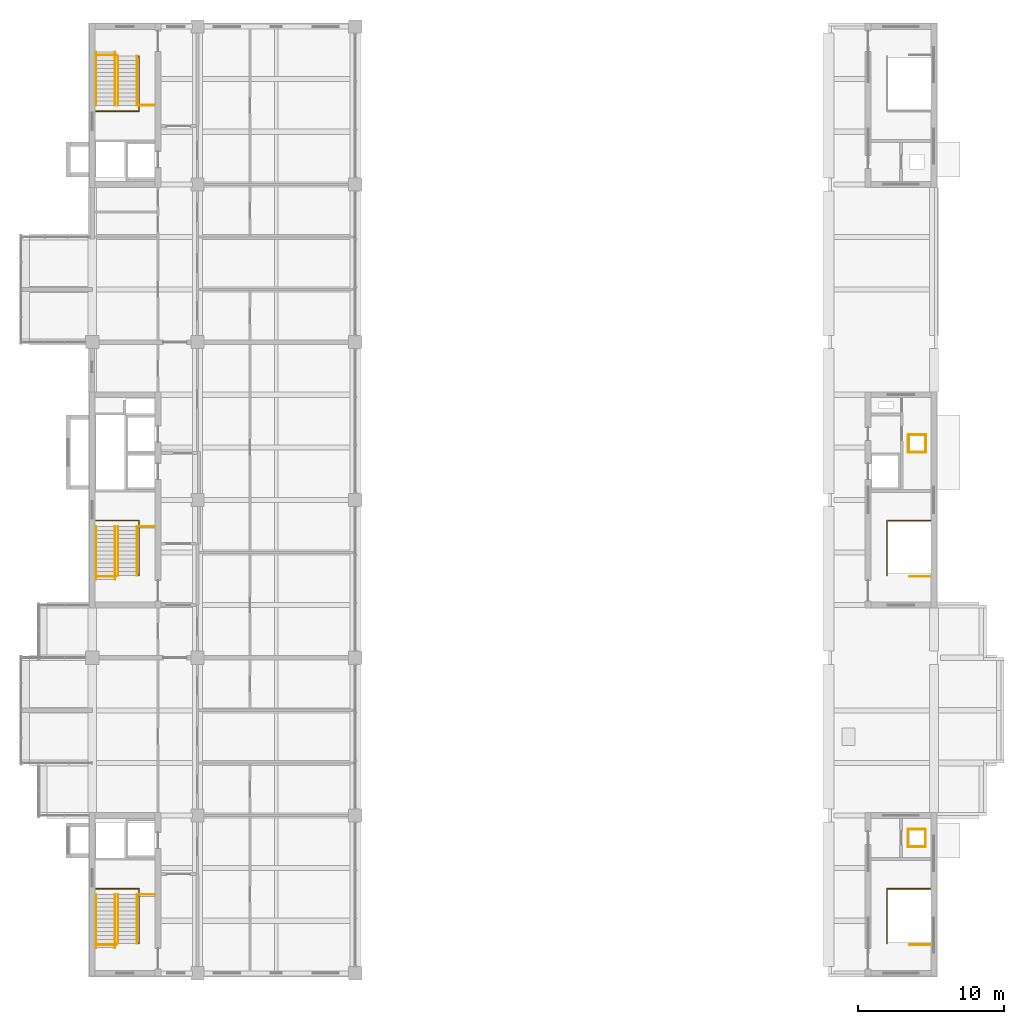
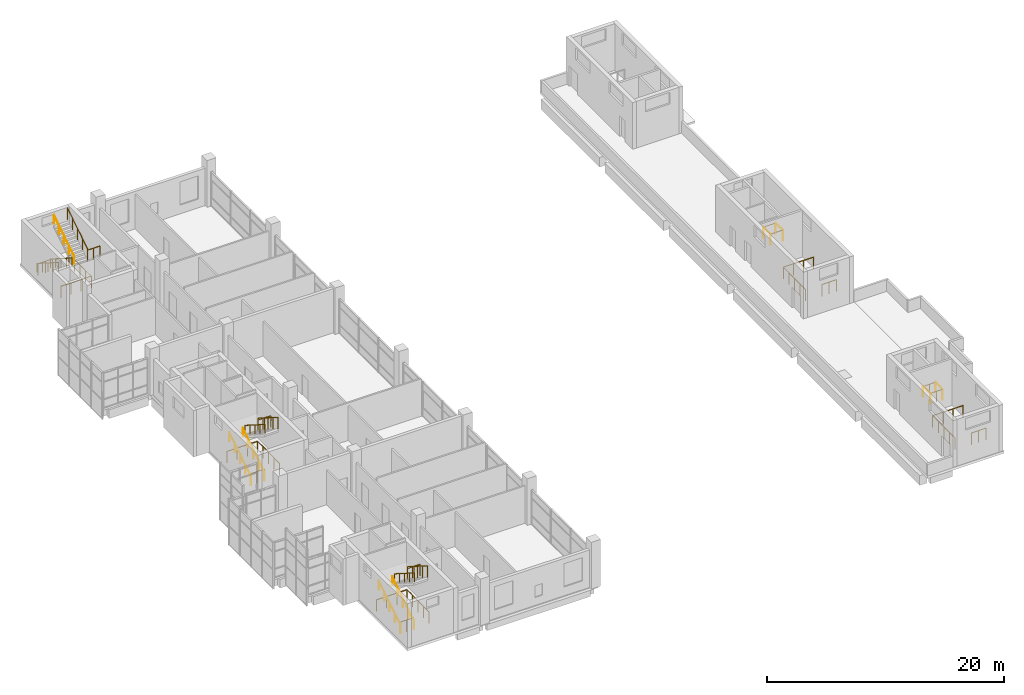
# One storey, part 22 of 23: 33 railings.
"""IFC4 building model written with IfcOpenShell, lengths in metres."""

from ifc_helpers import new_model, si_unit, direction, frame, origin, origin_2d, place, context, subcontext, project, spatial, circle, extrude, material, type_object, element, save


model = new_model("IFC4")

# Units and contexts
model_context = context("Model", 3, precision=1e-05, world=origin(), true_north=direction((0.0, 1.0)))
body_context = subcontext(model_context, "Body", "Model", "MODEL_VIEW")
ifc_project = project(units=[si_unit("LENGTHUNIT", "METRE"), si_unit("AREAUNIT", "SQUARE_METRE"), si_unit("VOLUMEUNIT", "CUBIC_METRE"), si_unit("PLANEANGLEUNIT", "RADIAN"), si_unit("MASSUNIT", "GRAM", prefix="KILO")], contexts=[model_context])

# Site, building, storey
site_placement = place(None, origin())
site = spatial("IfcSite", under=ifc_project, at=site_placement, CompositionType="ELEMENT")
building_placement = place(site_placement, origin())
building = spatial("IfcBuilding", under=site, at=building_placement, Name="Basin Gate Institute", CompositionType="ELEMENT")
storey_placement = place(building_placement, frame((0.0, 0.0, 46.199951171875)))
storey = spatial("IfcBuildingStorey", under=building, at=storey_placement, Name="L09", CompositionType="ELEMENT", Elevation=46.199951171875)

# Railings
ifc_material_1 = material(Name="Galvanised steel tube and mesh infill", Category="steel")
railing_type_1 = type_object("IfcRailingType", Name="Duct opening guard RL-D", PredefinedType="GUARDRAIL", material=ifc_material_1)
railing_1_placement = place(storey_placement, frame((117.02490234375, 43.762451171875, 0.150146484375)))
element("IfcRailing", 1, at=railing_1_placement, inside=storey, type_object=railing_type_1, material=ifc_material_1, Name="Duct opening guard RL-D Exhaust Fan Room ES 1", PredefinedType="GUARDRAIL", context=body_context, shape_type="SweptSolid", body=[
    extrude(circle(Radius=0.02392578125, at=origin_2d()), frame((0.0, 0.0, 1.076171875), z_axis=(1.0, 0.0, 0.0), x_axis=(0.0, 1.0, 0.0)), (0.0, 0.0, 1.0), 1.2001953125),
    extrude(circle(Radius=0.02099609375, at=origin_2d()), origin(), (0.0, 0.0, 1.0), 1.052001953125),
    extrude(circle(Radius=0.02099609375, at=origin_2d()), frame((0.60009765625, 0.0, 0.0)), (0.0, 0.0, 1.0), 1.052001953125),
    extrude(circle(Radius=0.02099609375, at=origin_2d()), frame((1.2001953125, 0.0, 0.0)), (0.0, 0.0, 1.0), 1.052001953125),
])
railing_2_placement = place(storey_placement, frame((118.22509765625, 43.762451171875, 0.150146484375)))
element("IfcRailing", 2, at=railing_2_placement, inside=storey, type_object=railing_type_1, material=ifc_material_1, Name="Duct opening guard RL-D Exhaust Fan Room ES 2", PredefinedType="GUARDRAIL", context=body_context, shape_type="SweptSolid", body=[
    extrude(circle(Radius=0.02392578125, at=origin_2d()), frame((0.0, 0.0, 1.076171875), z_axis=(0.0, 1.0, 0.0), x_axis=(-1.0, 0.0, 0.0)), (0.0, 0.0, 1.0), 1.199951171875),
    extrude(circle(Radius=0.02099609375, at=origin_2d()), origin(), (0.0, 0.0, 1.0), 1.052001953125),
    extrude(circle(Radius=0.02099609375, at=origin_2d()), frame((0.0, 1.199951171875, 0.0)), (0.0, 0.0, 1.0), 1.052001953125),
])
railing_3_placement = place(storey_placement, frame((118.22509765625, 44.96240234375, 0.150146484375)))
element("IfcRailing", 3, at=railing_3_placement, inside=storey, type_object=railing_type_1, material=ifc_material_1, Name="Duct opening guard RL-D Exhaust Fan Room ES 3", PredefinedType="GUARDRAIL", context=body_context, shape_type="SweptSolid", body=[
    extrude(circle(Radius=0.02392578125, at=origin_2d()), frame((0.0, 0.0, 1.076171875), z_axis=(-1.0, 0.0, 0.0), x_axis=(0.0, -1.0, 0.0)), (0.0, 0.0, 1.0), 1.2001953125),
    extrude(circle(Radius=0.02099609375, at=origin_2d()), origin(), (0.0, 0.0, 1.0), 1.052001953125),
    extrude(circle(Radius=0.02099609375, at=origin_2d()), frame((-0.60009765625, 0.0, 0.0)), (0.0, 0.0, 1.0), 1.052001953125),
    extrude(circle(Radius=0.02099609375, at=origin_2d()), frame((-1.2001953125, 0.0, 0.0)), (0.0, 0.0, 1.0), 1.052001953125),
])
railing_4_placement = place(storey_placement, frame((117.02490234375, 44.96240234375, 0.150146484375)))
element("IfcRailing", 4, at=railing_4_placement, inside=storey, type_object=railing_type_1, material=ifc_material_1, Name="Duct opening guard RL-D Exhaust Fan Room ES 4", PredefinedType="GUARDRAIL", context=body_context, shape_type="SweptSolid", body=[
    extrude(circle(Radius=0.02392578125, at=origin_2d()), frame((0.0, 0.0, 1.076171875), z_axis=(0.0, -1.0, 0.0), x_axis=(1.0, 0.0, 0.0)), (0.0, 0.0, 1.0), 1.199951171875),
    extrude(circle(Radius=0.02099609375, at=origin_2d()), origin(), (0.0, 0.0, 1.0), 1.052001953125),
    extrude(circle(Radius=0.02099609375, at=origin_2d()), frame((0.0, -1.199951171875, 0.0)), (0.0, 0.0, 1.0), 1.052001953125),
])
railing_5_placement = place(storey_placement, frame((117.050048828125, 70.762451171875, 0.150146484375)))
element("IfcRailing", 5, at=railing_5_placement, inside=storey, type_object=railing_type_1, material=ifc_material_1, Name="Duct opening guard RL-D Exhaust Fan Room EM 1", PredefinedType="GUARDRAIL", context=body_context, shape_type="SweptSolid", body=[
    extrude(circle(Radius=0.02392578125, at=origin_2d()), frame((0.0, 0.0, 1.076171875), z_axis=(1.0, 0.0, 0.0), x_axis=(0.0, 1.0, 0.0)), (0.0, 0.0, 1.0), 1.199951171875),
    extrude(circle(Radius=0.02099609375, at=origin_2d()), origin(), (0.0, 0.0, 1.0), 1.052001953125),
    extrude(circle(Radius=0.02099609375, at=origin_2d()), frame((1.199951171875, 0.0, 0.0)), (0.0, 0.0, 1.0), 1.052001953125),
])
railing_6_placement = place(storey_placement, frame((118.25, 70.762451171875, 0.150146484375)))
element("IfcRailing", 6, at=railing_6_placement, inside=storey, type_object=railing_type_1, material=ifc_material_1, Name="Duct opening guard RL-D Exhaust Fan Room EM 2", PredefinedType="GUARDRAIL", context=body_context, shape_type="SweptSolid", body=[
    extrude(circle(Radius=0.02392578125, at=origin_2d()), frame((0.0, 0.0, 1.076171875), z_axis=(0.0, 1.0, 0.0), x_axis=(-1.0, 0.0, 0.0)), (0.0, 0.0, 1.0), 1.199951171875),
    extrude(circle(Radius=0.02099609375, at=origin_2d()), origin(), (0.0, 0.0, 1.0), 1.052001953125),
    extrude(circle(Radius=0.02099609375, at=origin_2d()), frame((0.0, 1.199951171875, 0.0)), (0.0, 0.0, 1.0), 1.052001953125),
])
railing_7_placement = place(storey_placement, frame((118.25, 71.96240234375, 0.150146484375)))
element("IfcRailing", 7, at=railing_7_placement, inside=storey, type_object=railing_type_1, material=ifc_material_1, Name="Duct opening guard RL-D Exhaust Fan Room EM 3", PredefinedType="GUARDRAIL", context=body_context, shape_type="SweptSolid", body=[
    extrude(circle(Radius=0.02392578125, at=origin_2d()), frame((0.0, 0.0, 1.076171875), z_axis=(-1.0, 0.0, 0.0), x_axis=(0.0, -1.0, 0.0)), (0.0, 0.0, 1.0), 1.199951171875),
    extrude(circle(Radius=0.02099609375, at=origin_2d()), origin(), (0.0, 0.0, 1.0), 1.052001953125),
    extrude(circle(Radius=0.02099609375, at=origin_2d()), frame((-1.199951171875, 0.0, 0.0)), (0.0, 0.0, 1.0), 1.052001953125),
])
railing_8_placement = place(storey_placement, frame((117.050048828125, 71.96240234375, 0.150146484375)))
element("IfcRailing", 8, at=railing_8_placement, inside=storey, type_object=railing_type_1, material=ifc_material_1, Name="Duct opening guard RL-D Exhaust Fan Room EM 4", PredefinedType="GUARDRAIL", context=body_context, shape_type="SweptSolid", body=[
    extrude(circle(Radius=0.02392578125, at=origin_2d()), frame((0.0, 0.0, 1.076171875), z_axis=(0.0, -1.0, 0.0), x_axis=(1.0, 0.0, 0.0)), (0.0, 0.0, 1.0), 1.199951171875),
    extrude(circle(Radius=0.02099609375, at=origin_2d()), origin(), (0.0, 0.0, 1.0), 1.052001953125),
    extrude(circle(Radius=0.02099609375, at=origin_2d()), frame((0.0, -1.199951171875, 0.0)), (0.0, 0.0, 1.0), 1.052001953125),
])
ifc_material_2 = material(Name="Stainless steel", Category="steel")
railing_type_2 = type_object("IfcRailingType", Name="Stair guard GR2", PredefinedType="GUARDRAIL", material=ifc_material_2)
railing_9_placement = place(storey_placement, frame((64.39990234375, 37.1298828125, 0.0)))
element("IfcRailing", 9, at=railing_9_placement, inside=storey, type_object=railing_type_2, material=ifc_material_2, Name="Stair guard GR2 WS GD3-L08", PredefinedType="GUARDRAIL", context=body_context, shape_type="SweptSolid", body=[
    extrude(circle(Radius=0.02392578125, at=origin_2d()), frame((0.0, 0.0, 1.17578125), z_axis=(0.0, 1.0, 0.0), x_axis=(-1.0, 0.0, 0.0)), (0.0, 0.0, 1.0), 3.760009765625),
    extrude(circle(Radius=0.02392578125, at=origin_2d()), frame((0.0, 3.760009765625, 1.17578125), z_axis=(-1.0, 0.0, 0.0), x_axis=(0.0, -1.0, 0.0)), (0.0, 0.0, 1.0), 2.949951171875),
    extrude(circle(Radius=0.02099609375, at=origin_2d()), origin(), (0.0, 0.0, 1.0), 1.15185546875),
    extrude(circle(Radius=0.02099609375, at=origin_2d()), frame((0.0, 0.93994140625, 0.0)), (0.0, 0.0, 1.0), 1.15185546875),
    extrude(circle(Radius=0.02099609375, at=origin_2d()), frame((0.0, 1.8798828125, 0.0)), (0.0, 0.0, 1.0), 1.15185546875),
    extrude(circle(Radius=0.02099609375, at=origin_2d()), frame((0.0, 2.820068359375, 0.0)), (0.0, 0.0, 1.0), 1.15185546875),
    extrude(circle(Radius=0.02099609375, at=origin_2d()), frame((0.0, 3.760009765625, 0.0)), (0.0, 0.0, 1.0), 1.15185546875),
    extrude(circle(Radius=0.02099609375, at=origin_2d()), frame((-0.9833984375, 3.760009765625, 0.0)), (0.0, 0.0, 1.0), 1.15185546875),
    extrude(circle(Radius=0.02099609375, at=origin_2d()), frame((-1.966552734375, 3.760009765625, 0.0)), (0.0, 0.0, 1.0), 1.15185546875),
    extrude(circle(Radius=0.02099609375, at=origin_2d()), frame((-2.949951171875, 3.760009765625, 0.0)), (0.0, 0.0, 1.0), 1.15185546875),
])
railing_10_placement = place(storey_placement, frame((61.449951171875, 37.050048828125, 0.0)))
element("IfcRailing", 10, at=railing_10_placement, inside=storey, type_object=railing_type_2, material=ifc_material_2, Name="Stair guard GR2 WS GD4-L08", PredefinedType="GUARDRAIL", context=body_context, shape_type="SweptSolid", body=[
    extrude(circle(Radius=0.02392578125, at=origin_2d()), frame((0.0, 0.0, 1.17578125), z_axis=(1.0, 0.0, 0.0), x_axis=(0.0, 1.0, 0.0)), (0.0, 0.0, 1.0), 1.400146484375),
    extrude(circle(Radius=0.02099609375, at=origin_2d()), origin(), (0.0, 0.0, 1.0), 1.15185546875),
    extrude(circle(Radius=0.02099609375, at=origin_2d()), frame((0.7001953125, 0.0, 0.0)), (0.0, 0.0, 1.0), 1.15185546875),
    extrude(circle(Radius=0.02099609375, at=origin_2d()), frame((1.400146484375, 0.0, 0.0)), (0.0, 0.0, 1.0), 1.15185546875),
])
railing_11_placement = place(storey_placement, frame((64.39990234375, 62.330078125, 0.0)))
element("IfcRailing", 11, at=railing_11_placement, inside=storey, type_object=railing_type_2, material=ifc_material_2, Name="Stair guard GR2 WM GD3-L08", PredefinedType="GUARDRAIL", context=body_context, shape_type="SweptSolid", body=[
    extrude(circle(Radius=0.02392578125, at=origin_2d()), frame((0.0, 0.0, 1.17578125), z_axis=(0.0, 1.0, 0.0), x_axis=(-1.0, 0.0, 0.0)), (0.0, 0.0, 1.0), 3.760009765625),
    extrude(circle(Radius=0.02392578125, at=origin_2d()), frame((0.0, 3.760009765625, 1.17578125), z_axis=(-1.0, 0.0, 0.0), x_axis=(0.0, -1.0, 0.0)), (0.0, 0.0, 1.0), 2.949951171875),
    extrude(circle(Radius=0.02099609375, at=origin_2d()), origin(), (0.0, 0.0, 1.0), 1.15185546875),
    extrude(circle(Radius=0.02099609375, at=origin_2d()), frame((0.0, 0.93994140625, 0.0)), (0.0, 0.0, 1.0), 1.15185546875),
    extrude(circle(Radius=0.02099609375, at=origin_2d()), frame((0.0, 1.8798828125, 0.0)), (0.0, 0.0, 1.0), 1.15185546875),
    extrude(circle(Radius=0.02099609375, at=origin_2d()), frame((0.0, 2.820068359375, 0.0)), (0.0, 0.0, 1.0), 1.15185546875),
    extrude(circle(Radius=0.02099609375, at=origin_2d()), frame((0.0, 3.760009765625, 0.0)), (0.0, 0.0, 1.0), 1.15185546875),
    extrude(circle(Radius=0.02099609375, at=origin_2d()), frame((-0.9833984375, 3.760009765625, 0.0)), (0.0, 0.0, 1.0), 1.15185546875),
    extrude(circle(Radius=0.02099609375, at=origin_2d()), frame((-1.966552734375, 3.760009765625, 0.0)), (0.0, 0.0, 1.0), 1.15185546875),
    extrude(circle(Radius=0.02099609375, at=origin_2d()), frame((-2.949951171875, 3.760009765625, 0.0)), (0.0, 0.0, 1.0), 1.15185546875),
])
railing_12_placement = place(storey_placement, frame((61.449951171875, 62.25, 0.0)))
element("IfcRailing", 12, at=railing_12_placement, inside=storey, type_object=railing_type_2, material=ifc_material_2, Name="Stair guard GR2 WM GD4-L08", PredefinedType="GUARDRAIL", context=body_context, shape_type="SweptSolid", body=[
    extrude(circle(Radius=0.02392578125, at=origin_2d()), frame((0.0, 0.0, 1.17578125), z_axis=(1.0, 0.0, 0.0), x_axis=(0.0, 1.0, 0.0)), (0.0, 0.0, 1.0), 1.400146484375),
    extrude(circle(Radius=0.02099609375, at=origin_2d()), origin(), (0.0, 0.0, 1.0), 1.15185546875),
    extrude(circle(Radius=0.02099609375, at=origin_2d()), frame((0.7001953125, 0.0, 0.0)), (0.0, 0.0, 1.0), 1.15185546875),
    extrude(circle(Radius=0.02099609375, at=origin_2d()), frame((1.400146484375, 0.0, 0.0)), (0.0, 0.0, 1.0), 1.15185546875),
])
railing_13_placement = place(storey_placement, frame((64.39990234375, 97.8701171875, 0.0)))
element("IfcRailing", 13, at=railing_13_placement, inside=storey, type_object=railing_type_2, material=ifc_material_2, Name="Stair guard GR2 WN GD3-L08", PredefinedType="GUARDRAIL", context=body_context, shape_type="SweptSolid", body=[
    extrude(circle(Radius=0.02392578125, at=origin_2d()), frame((0.0, 0.0, 1.17578125), z_axis=(0.0, -1.0, 0.0), x_axis=(1.0, 0.0, 0.0)), (0.0, 0.0, 1.0), 3.760009765625),
    extrude(circle(Radius=0.02392578125, at=origin_2d()), frame((0.0, -3.760009765625, 1.17578125), z_axis=(-1.0, 0.0, 0.0), x_axis=(0.0, -1.0, 0.0)), (0.0, 0.0, 1.0), 2.949951171875),
    extrude(circle(Radius=0.02099609375, at=origin_2d()), origin(), (0.0, 0.0, 1.0), 1.15185546875),
    extrude(circle(Radius=0.02099609375, at=origin_2d()), frame((0.0, -0.93994140625, 0.0)), (0.0, 0.0, 1.0), 1.15185546875),
    extrude(circle(Radius=0.02099609375, at=origin_2d()), frame((0.0, -1.8798828125, 0.0)), (0.0, 0.0, 1.0), 1.15185546875),
    extrude(circle(Radius=0.02099609375, at=origin_2d()), frame((0.0, -2.820068359375, 0.0)), (0.0, 0.0, 1.0), 1.15185546875),
    extrude(circle(Radius=0.02099609375, at=origin_2d()), frame((0.0, -3.760009765625, 0.0)), (0.0, 0.0, 1.0), 1.15185546875),
    extrude(circle(Radius=0.02099609375, at=origin_2d()), frame((-0.9833984375, -3.760009765625, 0.0)), (0.0, 0.0, 1.0), 1.15185546875),
    extrude(circle(Radius=0.02099609375, at=origin_2d()), frame((-1.966552734375, -3.760009765625, 0.0)), (0.0, 0.0, 1.0), 1.15185546875),
    extrude(circle(Radius=0.02099609375, at=origin_2d()), frame((-2.949951171875, -3.760009765625, 0.0)), (0.0, 0.0, 1.0), 1.15185546875),
])
railing_14_placement = place(storey_placement, frame((61.449951171875, 97.949951171875, 0.0)))
element("IfcRailing", 14, at=railing_14_placement, inside=storey, type_object=railing_type_2, material=ifc_material_2, Name="Stair guard GR2 WN GD4-L08", PredefinedType="GUARDRAIL", context=body_context, shape_type="SweptSolid", body=[
    extrude(circle(Radius=0.02392578125, at=origin_2d()), frame((0.0, 0.0, 1.17578125), z_axis=(1.0, 0.0, 0.0), x_axis=(0.0, 1.0, 0.0)), (0.0, 0.0, 1.0), 1.400146484375),
    extrude(circle(Radius=0.02099609375, at=origin_2d()), origin(), (0.0, 0.0, 1.0), 1.15185546875),
    extrude(circle(Radius=0.02099609375, at=origin_2d()), frame((0.7001953125, 0.0, 0.0)), (0.0, 0.0, 1.0), 1.15185546875),
    extrude(circle(Radius=0.02099609375, at=origin_2d()), frame((1.400146484375, 0.0, 0.0)), (0.0, 0.0, 1.0), 1.15185546875),
])
railing_15_placement = place(storey_placement, frame((115.60009765625, 37.1298828125, 0.0)))
element("IfcRailing", 15, at=railing_15_placement, inside=storey, type_object=railing_type_2, material=ifc_material_2, Name="Stair guard GR2 ES GD3-L08", PredefinedType="GUARDRAIL", context=body_context, shape_type="SweptSolid", body=[
    extrude(circle(Radius=0.02392578125, at=origin_2d()), frame((0.0, 0.0, 1.17578125), z_axis=(0.0, 1.0, 0.0), x_axis=(-1.0, 0.0, 0.0)), (0.0, 0.0, 1.0), 3.760009765625),
    extrude(circle(Radius=0.02392578125, at=origin_2d()), frame((0.0, 3.760009765625, 1.17578125), z_axis=(1.0, 0.0, 0.0), x_axis=(0.0, 1.0, 0.0)), (0.0, 0.0, 1.0), 2.949951171875),
    extrude(circle(Radius=0.02099609375, at=origin_2d()), origin(), (0.0, 0.0, 1.0), 1.15185546875),
    extrude(circle(Radius=0.02099609375, at=origin_2d()), frame((0.0, 0.93994140625, 0.0)), (0.0, 0.0, 1.0), 1.15185546875),
    extrude(circle(Radius=0.02099609375, at=origin_2d()), frame((0.0, 1.8798828125, 0.0)), (0.0, 0.0, 1.0), 1.15185546875),
    extrude(circle(Radius=0.02099609375, at=origin_2d()), frame((0.0, 2.820068359375, 0.0)), (0.0, 0.0, 1.0), 1.15185546875),
    extrude(circle(Radius=0.02099609375, at=origin_2d()), frame((0.0, 3.760009765625, 0.0)), (0.0, 0.0, 1.0), 1.15185546875),
    extrude(circle(Radius=0.02099609375, at=origin_2d()), frame((0.9833984375, 3.760009765625, 0.0)), (0.0, 0.0, 1.0), 1.15185546875),
    extrude(circle(Radius=0.02099609375, at=origin_2d()), frame((1.966552734375, 3.760009765625, 0.0)), (0.0, 0.0, 1.0), 1.15185546875),
    extrude(circle(Radius=0.02099609375, at=origin_2d()), frame((2.949951171875, 3.760009765625, 0.0)), (0.0, 0.0, 1.0), 1.15185546875),
])
railing_16_placement = place(storey_placement, frame((118.550048828125, 37.050048828125, 0.0)))
element("IfcRailing", 16, at=railing_16_placement, inside=storey, type_object=railing_type_2, material=ifc_material_2, Name="Stair guard GR2 ES GD4-L08", PredefinedType="GUARDRAIL", context=body_context, shape_type="SweptSolid", body=[
    extrude(circle(Radius=0.02392578125, at=origin_2d()), frame((0.0, 0.0, 1.17578125), z_axis=(-1.0, 0.0, 0.0), x_axis=(0.0, -1.0, 0.0)), (0.0, 0.0, 1.0), 1.400146484375),
    extrude(circle(Radius=0.02099609375, at=origin_2d()), origin(), (0.0, 0.0, 1.0), 1.15185546875),
    extrude(circle(Radius=0.02099609375, at=origin_2d()), frame((-0.7001953125, 0.0, 0.0)), (0.0, 0.0, 1.0), 1.15185546875),
    extrude(circle(Radius=0.02099609375, at=origin_2d()), frame((-1.400146484375, 0.0, 0.0)), (0.0, 0.0, 1.0), 1.15185546875),
])
railing_17_placement = place(storey_placement, frame((115.60009765625, 62.330078125, 0.0)))
element("IfcRailing", 17, at=railing_17_placement, inside=storey, type_object=railing_type_2, material=ifc_material_2, Name="Stair guard GR2 EM GD3-L08", PredefinedType="GUARDRAIL", context=body_context, shape_type="SweptSolid", body=[
    extrude(circle(Radius=0.02392578125, at=origin_2d()), frame((0.0, 0.0, 1.17578125), z_axis=(0.0, 1.0, 0.0), x_axis=(-1.0, 0.0, 0.0)), (0.0, 0.0, 1.0), 3.760009765625),
    extrude(circle(Radius=0.02392578125, at=origin_2d()), frame((0.0, 3.760009765625, 1.17578125), z_axis=(1.0, 0.0, 0.0), x_axis=(0.0, 1.0, 0.0)), (0.0, 0.0, 1.0), 2.949951171875),
    extrude(circle(Radius=0.02099609375, at=origin_2d()), origin(), (0.0, 0.0, 1.0), 1.15185546875),
    extrude(circle(Radius=0.02099609375, at=origin_2d()), frame((0.0, 0.93994140625, 0.0)), (0.0, 0.0, 1.0), 1.15185546875),
    extrude(circle(Radius=0.02099609375, at=origin_2d()), frame((0.0, 1.8798828125, 0.0)), (0.0, 0.0, 1.0), 1.15185546875),
    extrude(circle(Radius=0.02099609375, at=origin_2d()), frame((0.0, 2.820068359375, 0.0)), (0.0, 0.0, 1.0), 1.15185546875),
    extrude(circle(Radius=0.02099609375, at=origin_2d()), frame((0.0, 3.760009765625, 0.0)), (0.0, 0.0, 1.0), 1.15185546875),
    extrude(circle(Radius=0.02099609375, at=origin_2d()), frame((0.9833984375, 3.760009765625, 0.0)), (0.0, 0.0, 1.0), 1.15185546875),
    extrude(circle(Radius=0.02099609375, at=origin_2d()), frame((1.966552734375, 3.760009765625, 0.0)), (0.0, 0.0, 1.0), 1.15185546875),
    extrude(circle(Radius=0.02099609375, at=origin_2d()), frame((2.949951171875, 3.760009765625, 0.0)), (0.0, 0.0, 1.0), 1.15185546875),
])
railing_18_placement = place(storey_placement, frame((118.550048828125, 62.25, 0.0)))
element("IfcRailing", 18, at=railing_18_placement, inside=storey, type_object=railing_type_2, material=ifc_material_2, Name="Stair guard GR2 EM GD4-L08", PredefinedType="GUARDRAIL", context=body_context, shape_type="SweptSolid", body=[
    extrude(circle(Radius=0.02392578125, at=origin_2d()), frame((0.0, 0.0, 1.17578125), z_axis=(-1.0, 0.0, 0.0), x_axis=(0.0, -1.0, 0.0)), (0.0, 0.0, 1.0), 1.400146484375),
    extrude(circle(Radius=0.02099609375, at=origin_2d()), origin(), (0.0, 0.0, 1.0), 1.15185546875),
    extrude(circle(Radius=0.02099609375, at=origin_2d()), frame((-0.7001953125, 0.0, 0.0)), (0.0, 0.0, 1.0), 1.15185546875),
    extrude(circle(Radius=0.02099609375, at=origin_2d()), frame((-1.400146484375, 0.0, 0.0)), (0.0, 0.0, 1.0), 1.15185546875),
])
railing_19_placement = place(storey_placement, frame((64.25, 40.489990234375, 2.666748046875)))
element("IfcRailing", 19, at=railing_19_placement, inside=storey, type_object=railing_type_2, material=ifc_material_2, Name="Stair guard GR2 WS GD1", PredefinedType="GUARDRAIL", context=body_context, shape_type="SweptSolid", body=[
    extrude(circle(Radius=0.02392578125, at=origin_2d()), frame((0.0, 0.0, 1.17578125), z_axis=(0.0, -0.844224270207, 0.535990094679), x_axis=(1.0, 0.0, 0.0)), (0.0, 0.0, 1.0), 3.980224609375),
    extrude(circle(Radius=0.02099609375, at=origin_2d()), origin(), (0.0, 0.0, 1.0), 1.15185546875),
    extrude(circle(Radius=0.02099609375, at=origin_2d()), frame((0.0, -0.840087890625, 0.533203125)), (0.0, 0.0, 1.0), 1.15185546875),
    extrude(circle(Radius=0.02099609375, at=origin_2d()), frame((0.0, -1.68017578125, 1.066650390625)), (0.0, 0.0, 1.0), 1.15185546875),
    extrude(circle(Radius=0.02099609375, at=origin_2d()), frame((0.0, -2.52001953125, 1.60009765625)), (0.0, 0.0, 1.0), 1.15185546875),
    extrude(circle(Radius=0.02099609375, at=origin_2d()), frame((0.0, -3.360107421875, 2.13330078125)), (0.0, 0.0, 1.0), 1.15185546875),
])
railing_20_placement = place(storey_placement, frame((64.25, 40.489990234375, 2.489013671875)))
element("IfcRailing", 20, at=railing_20_placement, inside=storey, type_object=railing_type_2, material=ifc_material_2, Name="Stair guard GR2 WS GD2", PredefinedType="GUARDRAIL", context=body_context, shape_type="SweptSolid", body=[
    extrude(circle(Radius=0.02392578125, at=origin_2d()), frame((0.0, 0.0, 1.17578125), z_axis=(1.0, 0.0, 0.0), x_axis=(0.0, 1.0, 0.0)), (0.0, 0.0, 1.0), 1.219970703125),
    extrude(circle(Radius=0.02099609375, at=origin_2d()), origin(), (0.0, 0.0, 1.0), 1.15185546875),
    extrude(circle(Radius=0.02099609375, at=origin_2d()), frame((0.60986328125, 0.0, 0.0)), (0.0, 0.0, 1.0), 1.15185546875),
    extrude(circle(Radius=0.02099609375, at=origin_2d()), frame((1.219970703125, 0.0, 0.0)), (0.0, 0.0, 1.0), 1.15185546875),
])
railing_21_placement = place(storey_placement, frame((64.25, 65.68994140625, 2.666748046875)))
element("IfcRailing", 21, at=railing_21_placement, inside=storey, type_object=railing_type_2, material=ifc_material_2, Name="Stair guard GR2 WM GD1", PredefinedType="GUARDRAIL", context=body_context, shape_type="SweptSolid", body=[
    extrude(circle(Radius=0.02392578125, at=origin_2d()), frame((0.0, 0.0, 1.17578125), z_axis=(0.0, -0.844206646714, 0.536017851983), x_axis=(1.0, 0.0, 0.0)), (0.0, 0.0, 1.0), 3.97998046875),
    extrude(circle(Radius=0.02099609375, at=origin_2d()), origin(), (0.0, 0.0, 1.0), 1.15185546875),
    extrude(circle(Radius=0.02099609375, at=origin_2d()), frame((0.0, -0.83984375, 0.533203125)), (0.0, 0.0, 1.0), 1.15185546875),
    extrude(circle(Radius=0.02099609375, at=origin_2d()), frame((0.0, -1.679931640625, 1.066650390625)), (0.0, 0.0, 1.0), 1.15185546875),
    extrude(circle(Radius=0.02099609375, at=origin_2d()), frame((0.0, -2.52001953125, 1.60009765625)), (0.0, 0.0, 1.0), 1.15185546875),
    extrude(circle(Radius=0.02099609375, at=origin_2d()), frame((0.0, -3.35986328125, 2.13330078125)), (0.0, 0.0, 1.0), 1.15185546875),
])
railing_22_placement = place(storey_placement, frame((64.25, 65.68994140625, 2.489013671875)))
element("IfcRailing", 22, at=railing_22_placement, inside=storey, type_object=railing_type_2, material=ifc_material_2, Name="Stair guard GR2 WM GD2", PredefinedType="GUARDRAIL", context=body_context, shape_type="SweptSolid", body=[
    extrude(circle(Radius=0.02392578125, at=origin_2d()), frame((0.0, 0.0, 1.17578125), z_axis=(1.0, 0.0, 0.0), x_axis=(0.0, 1.0, 0.0)), (0.0, 0.0, 1.0), 1.219970703125),
    extrude(circle(Radius=0.02099609375, at=origin_2d()), origin(), (0.0, 0.0, 1.0), 1.15185546875),
    extrude(circle(Radius=0.02099609375, at=origin_2d()), frame((0.60986328125, 0.0, 0.0)), (0.0, 0.0, 1.0), 1.15185546875),
    extrude(circle(Radius=0.02099609375, at=origin_2d()), frame((1.219970703125, 0.0, 0.0)), (0.0, 0.0, 1.0), 1.15185546875),
])
railing_23_placement = place(storey_placement, frame((64.25, 94.510009765625, 2.666748046875)))
element("IfcRailing", 23, at=railing_23_placement, inside=storey, type_object=railing_type_2, material=ifc_material_2, Name="Stair guard GR2 WN GD1", PredefinedType="GUARDRAIL", context=body_context, shape_type="SweptSolid", body=[
    extrude(circle(Radius=0.02392578125, at=origin_2d()), frame((0.0, 0.0, 1.17578125), z_axis=(0.0, 0.844224270207, 0.535990094679), x_axis=(-1.0, 0.0, 0.0)), (0.0, 0.0, 1.0), 3.980224609375),
    extrude(circle(Radius=0.02099609375, at=origin_2d()), origin(), (0.0, 0.0, 1.0), 1.15185546875),
    extrude(circle(Radius=0.02099609375, at=origin_2d()), frame((0.0, 0.840087890625, 0.533203125)), (0.0, 0.0, 1.0), 1.15185546875),
    extrude(circle(Radius=0.02099609375, at=origin_2d()), frame((0.0, 1.68017578125, 1.066650390625)), (0.0, 0.0, 1.0), 1.15185546875),
    extrude(circle(Radius=0.02099609375, at=origin_2d()), frame((0.0, 2.52001953125, 1.60009765625)), (0.0, 0.0, 1.0), 1.15185546875),
    extrude(circle(Radius=0.02099609375, at=origin_2d()), frame((0.0, 3.360107421875, 2.13330078125)), (0.0, 0.0, 1.0), 1.15185546875),
])
railing_24_placement = place(storey_placement, frame((64.25, 94.510009765625, 2.489013671875)))
element("IfcRailing", 24, at=railing_24_placement, inside=storey, type_object=railing_type_2, material=ifc_material_2, Name="Stair guard GR2 WN GD2", PredefinedType="GUARDRAIL", context=body_context, shape_type="SweptSolid", body=[
    extrude(circle(Radius=0.02392578125, at=origin_2d()), frame((0.0, 0.0, 1.17578125), z_axis=(1.0, 0.0, 0.0), x_axis=(0.0, 1.0, 0.0)), (0.0, 0.0, 1.0), 1.219970703125),
    extrude(circle(Radius=0.02099609375, at=origin_2d()), origin(), (0.0, 0.0, 1.0), 1.15185546875),
    extrude(circle(Radius=0.02099609375, at=origin_2d()), frame((0.60986328125, 0.0, 0.0)), (0.0, 0.0, 1.0), 1.15185546875),
    extrude(circle(Radius=0.02099609375, at=origin_2d()), frame((1.219970703125, 0.0, 0.0)), (0.0, 0.0, 1.0), 1.15185546875),
])
ifc_material_3 = material(Name="Stainless steel", Category="steel")
railing_type_3 = type_object("IfcRailingType", Name="Stair handrail HR1", PredefinedType="HANDRAIL", material=ifc_material_3)
for number, where, name in (
    (25, (61.449951171875, 36.85009765625, 0.177734375), "Stair handrail HR1 WS HR1"),
    (26, (62.75, 36.85009765625, 0.177734375), "Stair handrail HR1 WS HR2"),
):
    element("IfcRailing", number, at=place(storey_placement, frame(where)), inside=storey, type_object=railing_type_3, material=ifc_material_3, Name=name, PredefinedType="HANDRAIL", context=body_context, shape_type="SweptSolid", body=[
        extrude(circle(Radius=0.02392578125, at=origin_2d()), frame((0.0, 0.0, 0.89599609375), z_axis=(0.0, 0.844188005686, 0.536047209727), x_axis=(-1.0, 0.0, 0.0)), (0.0, 0.0, 1.0), 4.311767578125),
        extrude(circle(Radius=0.02099609375, at=origin_2d()), origin(), (0.0, 0.0, 1.0), 0.871826171875),
        extrude(circle(Radius=0.02099609375, at=origin_2d()), frame((0.0, 0.909912109375, 0.577880859375)), (0.0, 0.0, 1.0), 0.871826171875),
        extrude(circle(Radius=0.02099609375, at=origin_2d()), frame((0.0, 1.81982421875, 1.15576171875)), (0.0, 0.0, 1.0), 0.871826171875),
        extrude(circle(Radius=0.02099609375, at=origin_2d()), frame((0.0, 2.72998046875, 1.7333984375)), (0.0, 0.0, 1.0), 0.871826171875),
        extrude(circle(Radius=0.02099609375, at=origin_2d()), frame((0.0, 3.639892578125, 2.311279296875)), (0.0, 0.0, 1.0), 0.871826171875),
    ])
railing_25_placement = place(storey_placement, frame((62.949951171875, 40.489990234375, 2.666748046875)))
element("IfcRailing", 27, at=railing_25_placement, inside=storey, type_object=railing_type_3, material=ifc_material_3, Name="Stair handrail HR1 WS HR3", PredefinedType="HANDRAIL", context=body_context, shape_type="SweptSolid", body=[
    extrude(circle(Radius=0.02392578125, at=origin_2d()), frame((0.0, 0.0, 0.89599609375), z_axis=(0.0, -0.844224270207, 0.535990094679), x_axis=(1.0, 0.0, 0.0)), (0.0, 0.0, 1.0), 3.980224609375),
    extrude(circle(Radius=0.02099609375, at=origin_2d()), origin(), (0.0, 0.0, 1.0), 0.871826171875),
    extrude(circle(Radius=0.02099609375, at=origin_2d()), frame((0.0, -0.840087890625, 0.533203125)), (0.0, 0.0, 1.0), 0.871826171875),
    extrude(circle(Radius=0.02099609375, at=origin_2d()), frame((0.0, -1.68017578125, 1.066650390625)), (0.0, 0.0, 1.0), 0.871826171875),
    extrude(circle(Radius=0.02099609375, at=origin_2d()), frame((0.0, -2.52001953125, 1.60009765625)), (0.0, 0.0, 1.0), 0.871826171875),
    extrude(circle(Radius=0.02099609375, at=origin_2d()), frame((0.0, -3.360107421875, 2.13330078125)), (0.0, 0.0, 1.0), 0.871826171875),
])
for number, where, name in (
    (28, (61.449951171875, 62.050048828125, 0.177734375), "Stair handrail HR1 WM HR1"),
    (29, (62.75, 62.050048828125, 0.177734375), "Stair handrail HR1 WM HR2"),
):
    element("IfcRailing", number, at=place(storey_placement, frame(where)), inside=storey, type_object=railing_type_3, material=ifc_material_3, Name=name, PredefinedType="HANDRAIL", context=body_context, shape_type="SweptSolid", body=[
        extrude(circle(Radius=0.02392578125, at=origin_2d()), frame((0.0, 0.0, 0.89599609375), z_axis=(0.0, 0.844188005686, 0.536047209727), x_axis=(-1.0, 0.0, 0.0)), (0.0, 0.0, 1.0), 4.311767578125),
        extrude(circle(Radius=0.02099609375, at=origin_2d()), origin(), (0.0, 0.0, 1.0), 0.871826171875),
        extrude(circle(Radius=0.02099609375, at=origin_2d()), frame((0.0, 0.909912109375, 0.577880859375)), (0.0, 0.0, 1.0), 0.871826171875),
        extrude(circle(Radius=0.02099609375, at=origin_2d()), frame((0.0, 1.81982421875, 1.15576171875)), (0.0, 0.0, 1.0), 0.871826171875),
        extrude(circle(Radius=0.02099609375, at=origin_2d()), frame((0.0, 2.72998046875, 1.7333984375)), (0.0, 0.0, 1.0), 0.871826171875),
        extrude(circle(Radius=0.02099609375, at=origin_2d()), frame((0.0, 3.639892578125, 2.311279296875)), (0.0, 0.0, 1.0), 0.871826171875),
    ])
railing_26_placement = place(storey_placement, frame((62.949951171875, 65.68994140625, 2.666748046875)))
element("IfcRailing", 30, at=railing_26_placement, inside=storey, type_object=railing_type_3, material=ifc_material_3, Name="Stair handrail HR1 WM HR3", PredefinedType="HANDRAIL", context=body_context, shape_type="SweptSolid", body=[
    extrude(circle(Radius=0.02392578125, at=origin_2d()), frame((0.0, 0.0, 0.89599609375), z_axis=(0.0, -0.844206646714, 0.536017851983), x_axis=(1.0, 0.0, 0.0)), (0.0, 0.0, 1.0), 3.97998046875),
    extrude(circle(Radius=0.02099609375, at=origin_2d()), origin(), (0.0, 0.0, 1.0), 0.871826171875),
    extrude(circle(Radius=0.02099609375, at=origin_2d()), frame((0.0, -0.83984375, 0.533203125)), (0.0, 0.0, 1.0), 0.871826171875),
    extrude(circle(Radius=0.02099609375, at=origin_2d()), frame((0.0, -1.679931640625, 1.066650390625)), (0.0, 0.0, 1.0), 0.871826171875),
    extrude(circle(Radius=0.02099609375, at=origin_2d()), frame((0.0, -2.52001953125, 1.60009765625)), (0.0, 0.0, 1.0), 0.871826171875),
    extrude(circle(Radius=0.02099609375, at=origin_2d()), frame((0.0, -3.35986328125, 2.13330078125)), (0.0, 0.0, 1.0), 0.871826171875),
])
for number, where, name in (
    (31, (61.449951171875, 98.14990234375, 0.177734375), "Stair handrail HR1 WN HR1"),
    (32, (62.75, 98.14990234375, 0.177734375), "Stair handrail HR1 WN HR2"),
):
    element("IfcRailing", number, at=place(storey_placement, frame(where)), inside=storey, type_object=railing_type_3, material=ifc_material_3, Name=name, PredefinedType="HANDRAIL", context=body_context, shape_type="SweptSolid", body=[
        extrude(circle(Radius=0.02392578125, at=origin_2d()), frame((0.0, 0.0, 0.89599609375), z_axis=(0.0, -0.844188005686, 0.536047209727), x_axis=(1.0, 0.0, 0.0)), (0.0, 0.0, 1.0), 4.311767578125),
        extrude(circle(Radius=0.02099609375, at=origin_2d()), origin(), (0.0, 0.0, 1.0), 0.871826171875),
        extrude(circle(Radius=0.02099609375, at=origin_2d()), frame((0.0, -0.909912109375, 0.577880859375)), (0.0, 0.0, 1.0), 0.871826171875),
        extrude(circle(Radius=0.02099609375, at=origin_2d()), frame((0.0, -1.81982421875, 1.15576171875)), (0.0, 0.0, 1.0), 0.871826171875),
        extrude(circle(Radius=0.02099609375, at=origin_2d()), frame((0.0, -2.72998046875, 1.7333984375)), (0.0, 0.0, 1.0), 0.871826171875),
        extrude(circle(Radius=0.02099609375, at=origin_2d()), frame((0.0, -3.639892578125, 2.311279296875)), (0.0, 0.0, 1.0), 0.871826171875),
    ])
railing_27_placement = place(storey_placement, frame((62.949951171875, 94.510009765625, 2.666748046875)))
element("IfcRailing", 33, at=railing_27_placement, inside=storey, type_object=railing_type_3, material=ifc_material_3, Name="Stair handrail HR1 WN HR3", PredefinedType="HANDRAIL", context=body_context, shape_type="SweptSolid", body=[
    extrude(circle(Radius=0.02392578125, at=origin_2d()), frame((0.0, 0.0, 0.89599609375), z_axis=(0.0, 0.844224270207, 0.535990094679), x_axis=(-1.0, 0.0, 0.0)), (0.0, 0.0, 1.0), 3.980224609375),
    extrude(circle(Radius=0.02099609375, at=origin_2d()), origin(), (0.0, 0.0, 1.0), 0.871826171875),
    extrude(circle(Radius=0.02099609375, at=origin_2d()), frame((0.0, 0.840087890625, 0.533203125)), (0.0, 0.0, 1.0), 0.871826171875),
    extrude(circle(Radius=0.02099609375, at=origin_2d()), frame((0.0, 1.68017578125, 1.066650390625)), (0.0, 0.0, 1.0), 0.871826171875),
    extrude(circle(Radius=0.02099609375, at=origin_2d()), frame((0.0, 2.52001953125, 1.60009765625)), (0.0, 0.0, 1.0), 0.871826171875),
    extrude(circle(Radius=0.02099609375, at=origin_2d()), frame((0.0, 3.360107421875, 2.13330078125)), (0.0, 0.0, 1.0), 0.871826171875),
])

save(model, "model.ifc")
